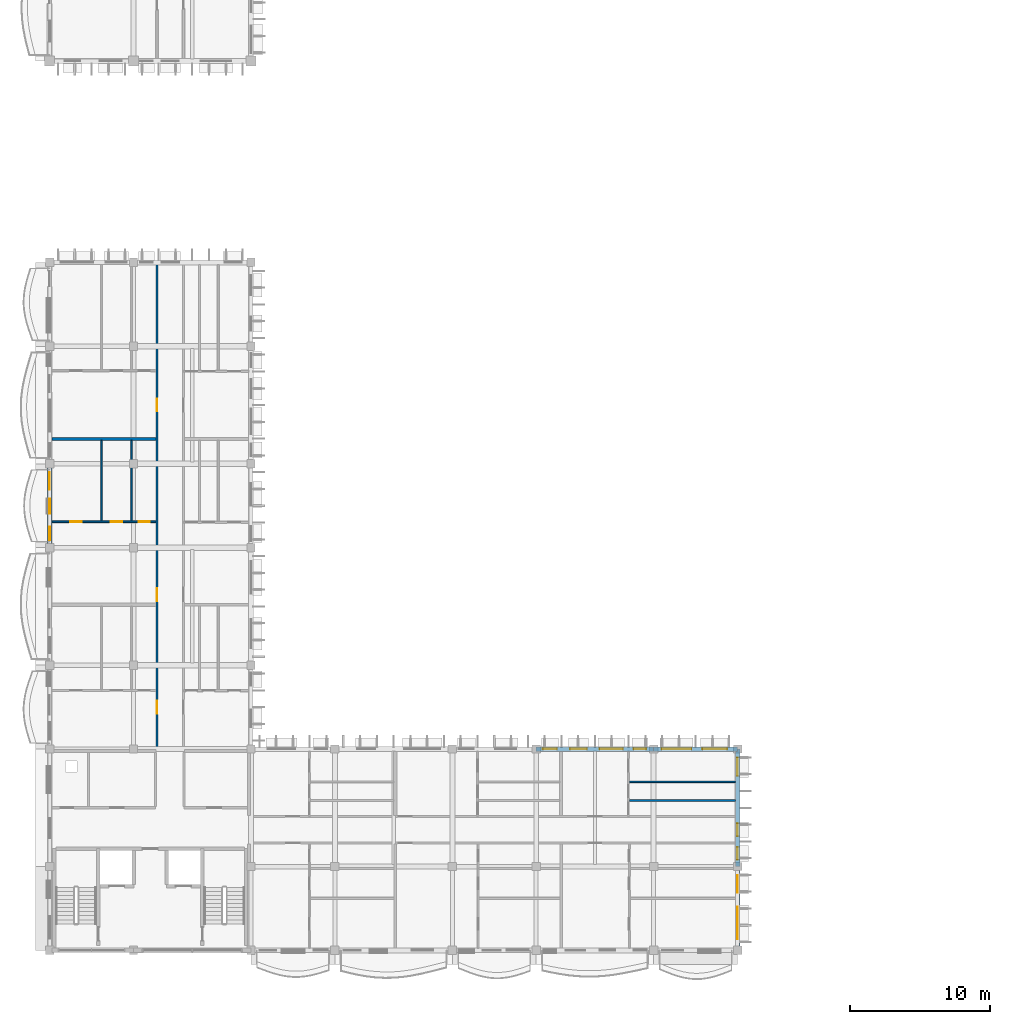
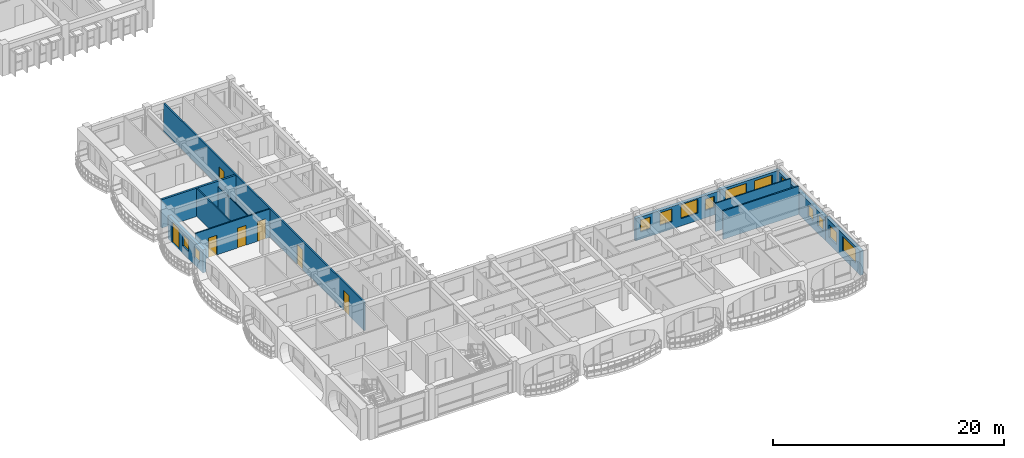
# One storey, part 18 of 70: 13 windows, 12 walls, 7 doors, 20 openings.
"""IFC4 building model written with IfcOpenShell, lengths in metres."""

from ifc_helpers import new_model, si_unit, direction, frame, frame_2d, origin, place, context, subcontext, project, spatial, rectangle, extrude, material, layer, layer_set, type_object, element, fill, save


model = new_model("IFC4")

# Units and contexts
model_context = context("Model", 3, precision=1e-05, world=origin(), true_north=direction((0.0, 1.0)))
body_context = subcontext(model_context, "Body", "Model", "MODEL_VIEW")
ifc_project = project(units=[si_unit("LENGTHUNIT", "METRE"), si_unit("AREAUNIT", "SQUARE_METRE"), si_unit("VOLUMEUNIT", "CUBIC_METRE"), si_unit("PLANEANGLEUNIT", "RADIAN"), si_unit("MASSUNIT", "GRAM", prefix="KILO"), si_unit("THERMODYNAMICTEMPERATUREUNIT", "KELVIN")], contexts=[model_context])

# Site, building, storey
site_placement = place(None, origin())
site = spatial("IfcSite", under=ifc_project, at=site_placement, CompositionType="ELEMENT")
building_placement = place(site_placement, origin())
building = spatial("IfcBuilding", under=site, at=building_placement, Name="Thalorik Housing Commons", CompositionType="ELEMENT")
storey_placement = place(building_placement, frame((0.0, 0.0, 14.699951171875)))
storey = spatial("IfcBuildingStorey", under=building, at=storey_placement, Name="L04", CompositionType="ELEMENT", Elevation=14.699951171875)

# Wall, openings, doors
ifc_material_1 = material(Name="Masonry fire-rated corridor wall", Category="masonry")
ifc_layer_1 = layer(ifc_material_1, 0.14990234375, Name="Masonry fire-rated corridor wall", Category="masonry")
ifc_layer_set_1 = layer_set([ifc_layer_1], Name="Masonry fire-rated corridor wall")
wall_type_1 = type_object("IfcWallType", Name="ARC-WAL-CORR-150", PredefinedType="PARTITIONING", material=ifc_layer_set_1)
wall_1_placement = place(storey_placement, frame((16.080078125, 22.659912109375, 0.0), z_axis=(0.0, 0.0, 1.0), x_axis=(0.0, 1.0, 0.0)))
wall_1 = element("IfcWall", 1, at=wall_1_placement, inside=storey, type_object=wall_type_1, Name="L04 Block C W Corridor Wall 1", PredefinedType="PARTITIONING", context=body_context, shape_type="SweptSolid", body=[
    extrude(rectangle(XDim=34.778076171875, YDim=0.14990234375, at=frame_2d((17.38916015625, 0.0))), origin(), (0.0, 0.0, 1.0), 3.0),
])
opening_1_placement = place(wall_1_placement, frame((2.671630859375, 0.0, 0.0)))
opening_1 = element("IfcOpeningElement", 2, at=opening_1_placement, cuts=wall_1, Name="Opening ID-1716", PredefinedType="OPENING", context=body_context, shape_type="SweptSolid", body=[
    extrude(rectangle(XDim=0.919921875, YDim=2.10009765625, at=frame_2d((0.4599609375, 1.050048828125))), frame((0.0, 0.0849609375, 0.0), z_axis=(0.0, -1.0, 0.0), x_axis=(1.0, 0.0, 0.0)), (0.0, 0.0, 1.0), 0.169921875),
])
opening_2_placement = place(wall_1_placement, frame((10.7099609375, 0.0, 0.0)))
opening_2 = element("IfcOpeningElement", 3, at=opening_2_placement, cuts=wall_1, Name="Opening ID-1717", PredefinedType="OPENING", context=body_context, shape_type="SweptSolid", body=[
    extrude(rectangle(XDim=0.919921875, YDim=2.10009765625, at=frame_2d((0.4599609375, 1.050048828125))), frame((0.0, 0.0849609375, 0.0), z_axis=(0.0, -1.0, 0.0), x_axis=(1.0, 0.0, 0.0)), (0.0, 0.0, 1.0), 0.169921875),
])
opening_3_placement = place(wall_1_placement, frame((24.280029296875, 0.0, 0.0)))
opening_3 = element("IfcOpeningElement", 4, at=opening_3_placement, cuts=wall_1, Name="Opening ID-1718", PredefinedType="OPENING", context=body_context, shape_type="SweptSolid", body=[
    extrude(rectangle(XDim=0.919921875, YDim=2.10009765625, at=frame_2d((0.4599609375, 1.050048828125))), frame((0.0, 0.0849609375, 0.0), z_axis=(0.0, -1.0, 0.0), x_axis=(1.0, 0.0, 0.0)), (0.0, 0.0, 1.0), 0.169921875),
])
ifc_material_2 = material(Name="Solid core hardwood timber", Category="wood")
door_type_1 = type_object("IfcDoorType", Name="ARC-DR-FD30-920", OperationType="NOTDEFINED", PredefinedType="DOOR", material=ifc_material_2)
door_1_placement = place(opening_1_placement, origin())
door_1 = element("IfcDoor", 5, at=door_1_placement, inside=storey, type_object=door_type_1, Name="L04 Flat CW-1A Entrance Door", OperationType="SINGLE_SWING_LEFT", OverallHeight=2.10009765625, OverallWidth=0.919921875, PredefinedType="DOOR", context=body_context, shape_type="SweptSolid", body=[
    extrude(rectangle(XDim=0.919921875, YDim=2.10009765625, at=frame_2d((0.4599609375, 1.050048828125))), frame((0.0, 0.02490234375, 0.0), z_axis=(0.0, -1.0, 0.0), x_axis=(1.0, 0.0, 0.0)), (0.0, 0.0, 1.0), 0.050048828125),
])
fill(opening_1, door_1)
door_2_placement = place(opening_2_placement, origin())
door_2 = element("IfcDoor", 6, at=door_2_placement, inside=storey, type_object=door_type_1, Name="L04 Flat CW-2A Entrance Door", OperationType="SINGLE_SWING_RIGHT", OverallHeight=2.10009765625, OverallWidth=0.919921875, PredefinedType="DOOR", context=body_context, shape_type="SweptSolid", body=[
    extrude(rectangle(XDim=0.919921875, YDim=2.10009765625, at=frame_2d((0.4599609375, 1.050048828125))), frame((0.0, 0.02490234375, 0.0), z_axis=(0.0, -1.0, 0.0), x_axis=(1.0, 0.0, 0.0)), (0.0, 0.0, 1.0), 0.050048828125),
])
fill(opening_2, door_2)
door_3_placement = place(opening_3_placement, origin())
door_3 = element("IfcDoor", 7, at=door_3_placement, inside=storey, type_object=door_type_1, Name="L04 Flat CW-3A Entrance Door", OperationType="SINGLE_SWING_LEFT", OverallHeight=2.10009765625, OverallWidth=0.919921875, PredefinedType="DOOR", context=body_context, shape_type="SweptSolid", body=[
    extrude(rectangle(XDim=0.919921875, YDim=2.10009765625, at=frame_2d((0.4599609375, 1.050048828125))), frame((0.0, 0.02490234375, 0.0), z_axis=(0.0, -1.0, 0.0), x_axis=(1.0, 0.0, 0.0)), (0.0, 0.0, 1.0), 0.050048828125),
])
fill(opening_3, door_3)

# Wall, openings, door, windows
ifc_material_3 = material(Name="White precast concrete C40/50", Category="concrete")
ifc_layer_2 = layer(ifc_material_3, 0.320068359375, Name="White precast concrete C40/50", Category="concrete")
ifc_layer_set_2 = layer_set([ifc_layer_2], Name="White precast concrete C40/50")
wall_type_2 = type_object("IfcWallType", Name="ARC-WAL-EXT-320", PredefinedType="STANDARD", material=ifc_layer_set_2)
wall_2_placement = place(storey_placement, frame((8.39990234375, 43.199951171875, 0.0), z_axis=(0.0, 0.0, 1.0), x_axis=(0.0, -1.0, 0.0)))
wall_2 = element("IfcWall", 8, at=wall_2_placement, inside=storey, type_object=wall_type_2, Name="L04 Exterior Wall WAL-EXT-L04-C-0942", PredefinedType="STANDARD", context=body_context, shape_type="SweptSolid", body=[
    extrude(rectangle(XDim=6.0, YDim=0.320068359375, at=frame_2d((3.0, 0.0))), origin(), (0.0, 0.0, 1.0), 2.445068359375),
])
opening_4_placement = place(wall_2_placement, frame((0.6201171875, 0.0, 0.0)))
opening_4 = element("IfcOpeningElement", 9, at=opening_4_placement, cuts=wall_2, Name="Opening ED-0310", PredefinedType="OPENING", context=body_context, shape_type="SweptSolid", body=[
    extrude(rectangle(XDim=1.25, YDim=2.199951171875, at=frame_2d((0.625, 1.10009765625))), frame((0.0, 0.169921875, 0.0), z_axis=(0.0, -1.0, 0.0), x_axis=(1.0, 0.0, 0.0)), (0.0, 0.0, 1.0), 0.340087890625),
])
opening_5_placement = place(wall_2_placement, frame((2.510009765625, 0.0, 0.780029296875)))
opening_5 = element("IfcOpeningElement", 10, at=opening_5_placement, cuts=wall_2, Name="Opening W-44", PredefinedType="OPENING", context=body_context, shape_type="SweptSolid", body=[
    extrude(rectangle(XDim=1.050048828125, YDim=1.199951171875, at=frame_2d((0.52490234375, 0.60009765625))), frame((0.0, 0.169921875, 0.0), z_axis=(0.0, -1.0, 0.0), x_axis=(1.0, 0.0, 0.0)), (0.0, 0.0, 1.0), 0.340087890625),
])
opening_6_placement = place(wall_2_placement, frame((4.5048828125, 0.0, 0.780029296875)))
opening_6 = element("IfcOpeningElement", 11, at=opening_6_placement, cuts=wall_2, Name="Opening W-43", PredefinedType="OPENING", context=body_context, shape_type="SweptSolid", body=[
    extrude(rectangle(XDim=0.949951171875, YDim=1.14990234375, at=frame_2d((0.47509765625, 0.574951171875))), frame((0.0, 0.169921875, 0.0), z_axis=(0.0, -1.0, 0.0), x_axis=(1.0, 0.0, 0.0)), (0.0, 0.0, 1.0), 0.340087890625),
])
ifc_material_4 = material(Name="Anodised aluminium and laminated safety glass", Category="aluminium")
door_type_2 = type_object("IfcDoorType", Name="ARC-DR-BAL-1250", OperationType="NOTDEFINED", PredefinedType="DOOR", material=ifc_material_4)
door_4_placement = place(opening_4_placement, frame((1.25, 0.0, 0.0), z_axis=(0.0, 0.0, 1.0), x_axis=(-1.0, 0.0, 0.0)))
door_4 = element("IfcDoor", 12, at=door_4_placement, inside=storey, type_object=door_type_2, Name="L04 Block C Balcony Glazed Door", OperationType="SINGLE_SWING_LEFT", OverallHeight=2.199951171875, OverallWidth=1.25, PredefinedType="DOOR", context=body_context, shape_type="SweptSolid", body=[
    extrude(rectangle(XDim=1.25, YDim=2.199951171875, at=frame_2d((0.625, 1.10009765625))), frame((0.0, 0.02490234375, 0.0), z_axis=(0.0, -1.0, 0.0), x_axis=(1.0, 0.0, 0.0)), (0.0, 0.0, 1.0), 0.050048828125),
])
fill(opening_4, door_4)
ifc_material_5 = material(Name="Anodised aluminium and solar-control low-E glass", Category="aluminium")
window_type_1 = type_object("IfcWindowType", Name="ARC-WIN-43", PartitioningType="SINGLE_PANEL", PredefinedType="WINDOW", material=ifc_material_5)
window_1_placement = place(opening_6_placement, origin())
window_1 = element("IfcWindow", 13, at=window_1_placement, inside=storey, type_object=window_type_1, Name="L04 Facade Window 1742", OverallHeight=1.14990234375, OverallWidth=0.949951171875, PartitioningType="SINGLE_PANEL", PredefinedType="WINDOW", context=body_context, shape_type="SweptSolid", body=[
    extrude(rectangle(XDim=0.949951171875, YDim=1.14990234375, at=frame_2d((0.47509765625, 0.574951171875))), frame((0.0, 0.030029296875, 0.0), z_axis=(0.0, -1.0, 0.0), x_axis=(1.0, 0.0, 0.0)), (0.0, 0.0, 1.0), 0.06005859375),
])
fill(opening_6, window_1)
window_type_2 = type_object("IfcWindowType", Name="ARC-WIN-44", PartitioningType="SINGLE_PANEL", PredefinedType="WINDOW", material=ifc_material_5)
window_2_placement = place(opening_5_placement, origin())
window_2 = element("IfcWindow", 14, at=window_2_placement, inside=storey, type_object=window_type_2, Name="L04 Facade Window 1741", OverallHeight=1.199951171875, OverallWidth=1.050048828125, PartitioningType="SINGLE_PANEL", PredefinedType="WINDOW", context=body_context, shape_type="SweptSolid", body=[
    extrude(rectangle(XDim=1.050048828125, YDim=1.199951171875, at=frame_2d((0.52490234375, 0.60009765625))), frame((0.0, 0.030029296875, 0.0), z_axis=(0.0, -1.0, 0.0), x_axis=(1.0, 0.0, 0.0)), (0.0, 0.0, 1.0), 0.06005859375),
])
fill(opening_5, window_2)

# Wall, openings, windows
wall_3_placement = place(storey_placement, frame((57.60009765625, 8.39990234375, 0.0), z_axis=(0.0, 0.0, 1.0), x_axis=(0.0, 1.0, 0.0)))
wall_3 = element("IfcWall", 15, at=wall_3_placement, inside=storey, type_object=wall_type_2, Name="L04 Exterior Wall WAL-EXT-L04-C-0954", PredefinedType="STANDARD", context=body_context, shape_type="SweptSolid", body=[
    extrude(rectangle(XDim=6.0, YDim=0.320068359375, at=frame_2d((3.0, 0.0))), origin(), (0.0, 0.0, 1.0), 2.574951171875),
])
opening_7_placement = place(wall_3_placement, frame((0.793701171875, 0.0, 0.780029296875)))
opening_7 = element("IfcOpeningElement", 16, at=opening_7_placement, cuts=wall_3, Name="Opening W-68", PredefinedType="OPENING", context=body_context, shape_type="SweptSolid", body=[
    extrude(rectangle(XDim=2.320068359375, YDim=1.5, at=frame_2d((1.16015625, 0.75))), frame((0.0, 0.169921875, 0.0), z_axis=(0.0, -1.0, 0.0), x_axis=(1.0, 0.0, 0.0)), (0.0, 0.0, 1.0), 0.340087890625),
])
opening_8_placement = place(wall_3_placement, frame((4.138916015625, 0.0, 0.780029296875)))
opening_8 = element("IfcOpeningElement", 17, at=opening_8_placement, cuts=wall_3, Name="Opening W-46", PredefinedType="OPENING", context=body_context, shape_type="SweptSolid", body=[
    extrude(rectangle(XDim=1.25, YDim=1.300048828125, at=frame_2d((0.625, 0.64990234375))), frame((0.0, 0.169921875, 0.0), z_axis=(0.0, -1.0, 0.0), x_axis=(1.0, 0.0, 0.0)), (0.0, 0.0, 1.0), 0.340087890625),
])
window_type_3 = type_object("IfcWindowType", Name="ARC-WIN-46", PartitioningType="SINGLE_PANEL", PredefinedType="WINDOW", material=ifc_material_5)
window_3_placement = place(opening_8_placement, origin())
window_3 = element("IfcWindow", 18, at=window_3_placement, inside=storey, type_object=window_type_3, Name="L04 Facade Window 1762", OverallHeight=1.300048828125, OverallWidth=1.25, PartitioningType="SINGLE_PANEL", PredefinedType="WINDOW", context=body_context, shape_type="SweptSolid", body=[
    extrude(rectangle(XDim=1.25, YDim=1.300048828125, at=frame_2d((0.625, 0.64990234375))), frame((0.0, 0.030029296875, 0.0), z_axis=(0.0, -1.0, 0.0), x_axis=(1.0, 0.0, 0.0)), (0.0, 0.0, 1.0), 0.06005859375),
])
fill(opening_8, window_3)
window_type_4 = type_object("IfcWindowType", Name="ARC-WIN-68", PartitioningType="DOUBLE_PANEL_VERTICAL", PredefinedType="WINDOW", material=ifc_material_5)
window_4_placement = place(opening_7_placement, origin())
window_4 = element("IfcWindow", 19, at=window_4_placement, inside=storey, type_object=window_type_4, Name="L04 Facade Window 1761", OverallHeight=1.5, OverallWidth=2.320068359375, PartitioningType="DOUBLE_PANEL_VERTICAL", PredefinedType="WINDOW", context=body_context, shape_type="SweptSolid", body=[
    extrude(rectangle(XDim=2.320068359375, YDim=1.5, at=frame_2d((1.16015625, 0.75))), frame((0.0, 0.030029296875, 0.0), z_axis=(0.0, -1.0, 0.0), x_axis=(1.0, 0.0, 0.0)), (0.0, 0.0, 1.0), 0.06005859375),
])
fill(opening_7, window_4)

wall_4_placement = place(storey_placement, frame((57.60009765625, 14.39990234375, 0.0), z_axis=(0.0, 0.0, 1.0), x_axis=(0.0, 1.0, 0.0)))
wall_4 = element("IfcWall", 20, at=wall_4_placement, inside=storey, type_object=wall_type_2, Name="L04 Exterior Wall WAL-EXT-L04-C-0955", PredefinedType="STANDARD", context=body_context, shape_type="SweptSolid", body=[
    extrude(rectangle(XDim=8.400146484375, YDim=0.320068359375, at=frame_2d((4.2001953125, 0.0))), origin(), (0.0, 0.0, 1.0), 2.425048828125),
])
opening_9_placement = place(wall_4_placement, frame((0.485107421875, 0.0, 0.780029296875)))
opening_9 = element("IfcOpeningElement", 21, at=opening_9_placement, cuts=wall_4, Name="Opening W-01", PredefinedType="OPENING", context=body_context, shape_type="SweptSolid", body=[
    extrude(rectangle(XDim=0.89990234375, YDim=1.199951171875, at=frame_2d((0.449951171875, 0.60009765625))), frame((0.0, 0.169921875, 0.0), z_axis=(0.0, -1.0, 0.0), x_axis=(1.0, 0.0, 0.0)), (0.0, 0.0, 1.0), 0.340087890625),
])
opening_10_placement = place(wall_4_placement, frame((2.179931640625, 0.0, 0.780029296875)))
opening_10 = element("IfcOpeningElement", 22, at=opening_10_placement, cuts=wall_4, Name="Opening W-01", PredefinedType="OPENING", context=body_context, shape_type="SweptSolid", body=[
    extrude(rectangle(XDim=0.89990234375, YDim=1.199951171875, at=frame_2d((0.449951171875, 0.60009765625))), frame((0.0, 0.169921875, 0.0), z_axis=(0.0, -1.0, 0.0), x_axis=(1.0, 0.0, 0.0)), (0.0, 0.0, 1.0), 0.340087890625),
])
opening_11_placement = place(wall_4_placement, frame((6.482666015625, 0.0, 0.780029296875)))
opening_11 = element("IfcOpeningElement", 23, at=opening_11_placement, cuts=wall_4, Name="Opening W-06", PredefinedType="OPENING", context=body_context, shape_type="SweptSolid", body=[
    extrude(rectangle(XDim=1.300048828125, YDim=1.39990234375, at=frame_2d((0.64990234375, 0.699951171875))), frame((0.0, 0.169921875, 0.0), z_axis=(0.0, -1.0, 0.0), x_axis=(1.0, 0.0, 0.0)), (0.0, 0.0, 1.0), 0.340087890625),
])
window_type_5 = type_object("IfcWindowType", Name="ARC-WIN-01", PartitioningType="SINGLE_PANEL", PredefinedType="WINDOW", material=ifc_material_5)
window_5_placement = place(opening_9_placement, origin())
window_5 = element("IfcWindow", 24, at=window_5_placement, inside=storey, type_object=window_type_5, Name="L04 Facade Window 1763", OverallHeight=1.199951171875, OverallWidth=0.89990234375, PartitioningType="SINGLE_PANEL", PredefinedType="WINDOW", context=body_context, shape_type="SweptSolid", body=[
    extrude(rectangle(XDim=0.89990234375, YDim=1.199951171875, at=frame_2d((0.449951171875, 0.60009765625))), frame((0.0, 0.030029296875, 0.0), z_axis=(0.0, -1.0, 0.0), x_axis=(1.0, 0.0, 0.0)), (0.0, 0.0, 1.0), 0.06005859375),
])
fill(opening_9, window_5)
window_6_placement = place(opening_10_placement, origin())
window_6 = element("IfcWindow", 25, at=window_6_placement, inside=storey, type_object=window_type_5, Name="L04 Facade Window 1764", OverallHeight=1.199951171875, OverallWidth=0.89990234375, PartitioningType="SINGLE_PANEL", PredefinedType="WINDOW", context=body_context, shape_type="SweptSolid", body=[
    extrude(rectangle(XDim=0.89990234375, YDim=1.199951171875, at=frame_2d((0.449951171875, 0.60009765625))), frame((0.0, 0.030029296875, 0.0), z_axis=(0.0, -1.0, 0.0), x_axis=(1.0, 0.0, 0.0)), (0.0, 0.0, 1.0), 0.06005859375),
])
fill(opening_10, window_6)
window_type_6 = type_object("IfcWindowType", Name="ARC-WIN-06", PartitioningType="SINGLE_PANEL", PredefinedType="WINDOW", material=ifc_material_5)
window_7_placement = place(opening_11_placement, origin())
window_7 = element("IfcWindow", 26, at=window_7_placement, inside=storey, type_object=window_type_6, Name="L04 Facade Window 1765", OverallHeight=1.39990234375, OverallWidth=1.300048828125, PartitioningType="SINGLE_PANEL", PredefinedType="WINDOW", context=body_context, shape_type="SweptSolid", body=[
    extrude(rectangle(XDim=1.300048828125, YDim=1.39990234375, at=frame_2d((0.64990234375, 0.699951171875))), frame((0.0, 0.030029296875, 0.0), z_axis=(0.0, -1.0, 0.0), x_axis=(1.0, 0.0, 0.0)), (0.0, 0.0, 1.0), 0.06005859375),
])
fill(opening_11, window_7)

wall_5_placement = place(storey_placement, frame((57.60009765625, 22.800048828125, 0.0), z_axis=(0.0, 0.0, 1.0), x_axis=(-1.0, 0.0, 0.0)))
wall_5 = element("IfcWall", 27, at=wall_5_placement, inside=storey, type_object=wall_type_2, Name="L04 Exterior Wall WAL-EXT-L04-C-0956", PredefinedType="STANDARD", context=body_context, shape_type="SweptSolid", body=[
    extrude(rectangle(XDim=6.0, YDim=0.320068359375, at=frame_2d((3.0, 0.0))), origin(), (0.0, 0.0, 1.0), 2.47509765625),
])
opening_12_placement = place(wall_5_placement, frame((0.739990234375, 0.0, 0.780029296875)))
opening_12 = element("IfcOpeningElement", 28, at=opening_12_placement, cuts=wall_5, Name="Opening W-57", PredefinedType="OPENING", context=body_context, shape_type="SweptSolid", body=[
    extrude(rectangle(XDim=1.780029296875, YDim=1.419921875, at=frame_2d((0.89013671875, 0.7099609375))), frame((0.0, 0.169921875, 0.0), z_axis=(0.0, -1.0, 0.0), x_axis=(1.0, 0.0, 0.0)), (0.0, 0.0, 1.0), 0.340087890625),
])
opening_13_placement = place(wall_5_placement, frame((3.31005859375, 0.0, 0.780029296875)))
opening_13 = element("IfcOpeningElement", 29, at=opening_13_placement, cuts=wall_5, Name="Opening W-64", PredefinedType="OPENING", context=body_context, shape_type="SweptSolid", body=[
    extrude(rectangle(XDim=2.1201171875, YDim=1.43994140625, at=frame_2d((1.06005859375, 0.719970703125))), frame((0.0, 0.169921875, 0.0), z_axis=(0.0, -1.0, 0.0), x_axis=(1.0, 0.0, 0.0)), (0.0, 0.0, 1.0), 0.340087890625),
])
window_type_7 = type_object("IfcWindowType", Name="ARC-WIN-57", PartitioningType="DOUBLE_PANEL_VERTICAL", PredefinedType="WINDOW", material=ifc_material_5)
window_8_placement = place(opening_12_placement, origin())
window_8 = element("IfcWindow", 30, at=window_8_placement, inside=storey, type_object=window_type_7, Name="L04 Facade Window 1766", OverallHeight=1.419921875, OverallWidth=1.780029296875, PartitioningType="DOUBLE_PANEL_VERTICAL", PredefinedType="WINDOW", context=body_context, shape_type="SweptSolid", body=[
    extrude(rectangle(XDim=1.780029296875, YDim=1.419921875, at=frame_2d((0.89013671875, 0.7099609375))), frame((0.0, 0.030029296875, 0.0), z_axis=(0.0, -1.0, 0.0), x_axis=(1.0, 0.0, 0.0)), (0.0, 0.0, 1.0), 0.06005859375),
])
fill(opening_12, window_8)
window_type_8 = type_object("IfcWindowType", Name="ARC-WIN-64", PartitioningType="DOUBLE_PANEL_VERTICAL", PredefinedType="WINDOW", material=ifc_material_5)
window_9_placement = place(opening_13_placement, origin())
window_9 = element("IfcWindow", 31, at=window_9_placement, inside=storey, type_object=window_type_8, Name="L04 Facade Window 1767", OverallHeight=1.43994140625, OverallWidth=2.1201171875, PartitioningType="DOUBLE_PANEL_VERTICAL", PredefinedType="WINDOW", context=body_context, shape_type="SweptSolid", body=[
    extrude(rectangle(XDim=2.1201171875, YDim=1.43994140625, at=frame_2d((1.06005859375, 0.719970703125))), frame((0.0, 0.030029296875, 0.0), z_axis=(0.0, -1.0, 0.0), x_axis=(1.0, 0.0, 0.0)), (0.0, 0.0, 1.0), 0.06005859375),
])
fill(opening_13, window_9)

wall_6_placement = place(storey_placement, frame((51.60009765625, 22.800048828125, 0.0), z_axis=(0.0, 0.0, 1.0), x_axis=(-1.0, 0.0, 0.0)))
wall_6 = element("IfcWall", 32, at=wall_6_placement, inside=storey, type_object=wall_type_2, Name="L04 Exterior Wall WAL-EXT-L04-C-0957", PredefinedType="STANDARD", context=body_context, shape_type="SweptSolid", body=[
    extrude(rectangle(XDim=8.400146484375, YDim=0.320068359375, at=frame_2d((4.2001953125, 0.0))), origin(), (0.0, 0.0, 1.0), 2.375),
])
opening_14_placement = place(wall_6_placement, frame((0.54052734375, 0.0, 0.780029296875)))
opening_14 = element("IfcOpeningElement", 33, at=opening_14_placement, cuts=wall_6, Name="Opening W-01", PredefinedType="OPENING", context=body_context, shape_type="SweptSolid", body=[
    extrude(rectangle(XDim=0.89990234375, YDim=1.199951171875, at=frame_2d((0.449951171875, 0.60009765625))), frame((0.0, 0.169921875, 0.0), z_axis=(0.0, -1.0, 0.0), x_axis=(1.0, 0.0, 0.0)), (0.0, 0.0, 1.0), 0.340087890625),
])
opening_15_placement = place(wall_6_placement, frame((2.193359375, 0.0, 0.780029296875)))
opening_15 = element("IfcOpeningElement", 34, at=opening_15_placement, cuts=wall_6, Name="Opening W-55", PredefinedType="OPENING", context=body_context, shape_type="SweptSolid", body=[
    extrude(rectangle(XDim=1.679931640625, YDim=1.4599609375, at=frame_2d((0.83984375, 0.72998046875))), frame((0.0, 0.169921875, 0.0), z_axis=(0.0, -1.0, 0.0), x_axis=(1.0, 0.0, 0.0)), (0.0, 0.0, 1.0), 0.340087890625),
])
opening_16_placement = place(wall_6_placement, frame((4.77783203125, 0.0, 0.780029296875)))
opening_16 = element("IfcOpeningElement", 35, at=opening_16_placement, cuts=wall_6, Name="Opening W-04", PredefinedType="OPENING", context=body_context, shape_type="SweptSolid", body=[
    extrude(rectangle(XDim=1.199951171875, YDim=1.35009765625, at=frame_2d((0.60009765625, 0.675048828125))), frame((0.0, 0.169921875, 0.0), z_axis=(0.0, -1.0, 0.0), x_axis=(1.0, 0.0, 0.0)), (0.0, 0.0, 1.0), 0.340087890625),
])
opening_17_placement = place(wall_6_placement, frame((6.9150390625, 0.0, 0.780029296875)))
opening_17 = element("IfcOpeningElement", 36, at=opening_17_placement, cuts=wall_6, Name="Opening W-02", PredefinedType="OPENING", context=body_context, shape_type="SweptSolid", body=[
    extrude(rectangle(XDim=1.0, YDim=1.25, at=frame_2d((0.5, 0.625))), frame((0.0, 0.169921875, 0.0), z_axis=(0.0, -1.0, 0.0), x_axis=(1.0, 0.0, 0.0)), (0.0, 0.0, 1.0), 0.340087890625),
])
window_10_placement = place(opening_14_placement, origin())
window_10 = element("IfcWindow", 37, at=window_10_placement, inside=storey, type_object=window_type_5, Name="L04 Facade Window 1768", OverallHeight=1.199951171875, OverallWidth=0.89990234375, PartitioningType="SINGLE_PANEL", PredefinedType="WINDOW", context=body_context, shape_type="SweptSolid", body=[
    extrude(rectangle(XDim=0.89990234375, YDim=1.199951171875, at=frame_2d((0.449951171875, 0.60009765625))), frame((0.0, 0.030029296875, 0.0), z_axis=(0.0, -1.0, 0.0), x_axis=(1.0, 0.0, 0.0)), (0.0, 0.0, 1.0), 0.06005859375),
])
fill(opening_14, window_10)
window_type_9 = type_object("IfcWindowType", Name="ARC-WIN-02", PartitioningType="SINGLE_PANEL", PredefinedType="WINDOW", material=ifc_material_5)
window_11_placement = place(opening_17_placement, origin())
window_11 = element("IfcWindow", 38, at=window_11_placement, inside=storey, type_object=window_type_9, Name="L04 Facade Window 1771", OverallHeight=1.25, OverallWidth=1.0, PartitioningType="SINGLE_PANEL", PredefinedType="WINDOW", context=body_context, shape_type="SweptSolid", body=[
    extrude(rectangle(XDim=1.0, YDim=1.25, at=frame_2d((0.5, 0.625))), frame((0.0, 0.030029296875, 0.0), z_axis=(0.0, -1.0, 0.0), x_axis=(1.0, 0.0, 0.0)), (0.0, 0.0, 1.0), 0.06005859375),
])
fill(opening_17, window_11)
window_type_10 = type_object("IfcWindowType", Name="ARC-WIN-04", PartitioningType="SINGLE_PANEL", PredefinedType="WINDOW", material=ifc_material_5)
window_12_placement = place(opening_16_placement, origin())
window_12 = element("IfcWindow", 39, at=window_12_placement, inside=storey, type_object=window_type_10, Name="L04 Facade Window 1770", OverallHeight=1.35009765625, OverallWidth=1.199951171875, PartitioningType="SINGLE_PANEL", PredefinedType="WINDOW", context=body_context, shape_type="SweptSolid", body=[
    extrude(rectangle(XDim=1.199951171875, YDim=1.35009765625, at=frame_2d((0.60009765625, 0.675048828125))), frame((0.0, 0.030029296875, 0.0), z_axis=(0.0, -1.0, 0.0), x_axis=(1.0, 0.0, 0.0)), (0.0, 0.0, 1.0), 0.06005859375),
])
fill(opening_16, window_12)
window_type_11 = type_object("IfcWindowType", Name="ARC-WIN-55", PartitioningType="DOUBLE_PANEL_VERTICAL", PredefinedType="WINDOW", material=ifc_material_5)
window_13_placement = place(opening_15_placement, origin())
window_13 = element("IfcWindow", 40, at=window_13_placement, inside=storey, type_object=window_type_11, Name="L04 Facade Window 1769", OverallHeight=1.4599609375, OverallWidth=1.679931640625, PartitioningType="DOUBLE_PANEL_VERTICAL", PredefinedType="WINDOW", context=body_context, shape_type="SweptSolid", body=[
    extrude(rectangle(XDim=1.679931640625, YDim=1.4599609375, at=frame_2d((0.83984375, 0.72998046875))), frame((0.0, 0.030029296875, 0.0), z_axis=(0.0, -1.0, 0.0), x_axis=(1.0, 0.0, 0.0)), (0.0, 0.0, 1.0), 0.06005859375),
])
fill(opening_15, window_13)

# Walls
ifc_material_6 = material(Name="Gypsum light stud partition", Category="masonry")
ifc_layer_3 = layer(ifc_material_6, 0.10009765625, Name="Gypsum light stud partition", Category="masonry")
ifc_layer_set_3 = layer_set([ifc_layer_3], Name="Gypsum light stud partition")
wall_type_3 = type_object("IfcWallType", Name="ARC-WAL-PART-100", PredefinedType="PARTITIONING", material=ifc_layer_set_3)
wall_7_placement = place(storey_placement, frame((14.251220703125, 39.114501953125, 0.0), z_axis=(0.0, 0.0, 1.0), x_axis=(0.0, 1.0, 0.0)))
element("IfcWall", 41, at=wall_7_placement, inside=storey, type_object=wall_type_3, Name="L04 Unit 2 Wet Wall", PredefinedType="PARTITIONING", context=body_context, shape_type="SweptSolid", body=[
    extrude(rectangle(XDim=5.763427734375, YDim=0.10009765625, at=frame_2d((2.8818359375, 0.0))), origin(), (0.0, 0.0, 1.0), 2.425048828125),
])
wall_8_placement = place(storey_placement, frame((49.868408203125, 20.455078125, 0.0), z_axis=(0.0, 0.0, 1.0), x_axis=(1.0, 0.0, 0.0)))
element("IfcWall", 42, at=wall_8_placement, inside=storey, type_object=wall_type_3, Name="L04 Unit 3B Bedroom Partition", PredefinedType="PARTITIONING", context=body_context, shape_type="SweptSolid", body=[
    extrude(rectangle(XDim=7.569580078125, YDim=0.10009765625, at=frame_2d((3.78466796875, 0.0))), origin(), (0.0, 0.0, 1.0), 3.0),
])
ifc_material_7 = material(Name="Gypsum moisture-resistant partition", Category="masonry")
ifc_layer_4 = layer(ifc_material_7, 0.114990234375, Name="Gypsum moisture-resistant partition", Category="masonry")
ifc_layer_set_4 = layer_set([ifc_layer_4], Name="Gypsum moisture-resistant partition")
wall_type_4 = type_object("IfcWallType", Name="ARC-WAL-PART-115", PredefinedType="PARTITIONING", material=ifc_layer_set_4)
wall_9_placement = place(storey_placement, frame((12.11767578125, 39.114501953125, 0.0), z_axis=(0.0, 0.0, 1.0), x_axis=(0.0, 1.0, 0.0)))
element("IfcWall", 43, at=wall_9_placement, inside=storey, type_object=wall_type_4, Name="L04 Unit 2 Bedroom Partition", PredefinedType="PARTITIONING", context=body_context, shape_type="SweptSolid", body=[
    extrude(rectangle(XDim=5.763427734375, YDim=0.114990234375, at=frame_2d((2.8818359375, 0.0))), origin(), (0.0, 0.0, 1.0), 3.0),
])

# Wall, openings, doors
ifc_material_8 = material(Name="Gypsum acoustic stud partition", Category="masonry")
ifc_layer_5 = layer(ifc_material_8, 0.125, Name="Gypsum acoustic stud partition", Category="masonry")
ifc_layer_set_5 = layer_set([ifc_layer_5], Name="Gypsum acoustic stud partition")
wall_type_5 = type_object("IfcWallType", Name="ARC-WAL-PART-125", PredefinedType="PARTITIONING", material=ifc_layer_set_5)
wall_10_placement = place(storey_placement, frame((8.56201171875, 39.050048828125, 0.0), z_axis=(0.0, 0.0, 1.0), x_axis=(1.0, 0.0, 0.0)))
wall_10 = element("IfcWall", 44, at=wall_10_placement, inside=storey, type_object=wall_type_5, Name="L04 Unit 2 Spine Partition", PredefinedType="PARTITIONING", context=body_context, shape_type="SweptSolid", body=[
    extrude(rectangle(XDim=7.44091796875, YDim=0.125, at=frame_2d((3.720458984375, 0.0))), origin(), (0.0, 0.0, 1.0), 3.0),
])
opening_18_placement = place(wall_10_placement, frame((1.3017578125, 0.0, 0.0)))
opening_18 = element("IfcOpeningElement", 45, at=opening_18_placement, cuts=wall_10, Name="Opening ID-1704", PredefinedType="OPENING", context=body_context, shape_type="SweptSolid", body=[
    extrude(rectangle(XDim=0.820068359375, YDim=2.080078125, at=frame_2d((0.41015625, 1.0400390625))), frame((0.0, 0.072509765625, 0.0), z_axis=(0.0, -1.0, 0.0), x_axis=(1.0, 0.0, 0.0)), (0.0, 0.0, 1.0), 0.14501953125),
])
opening_19_placement = place(wall_10_placement, frame((4.197509765625, 0.0, 0.0)))
opening_19 = element("IfcOpeningElement", 46, at=opening_19_placement, cuts=wall_10, Name="Opening ID-1705", PredefinedType="OPENING", context=body_context, shape_type="SweptSolid", body=[
    extrude(rectangle(XDim=0.85009765625, YDim=2.10009765625, at=frame_2d((0.425048828125, 1.050048828125))), frame((0.0, 0.072509765625, 0.0), z_axis=(0.0, -1.0, 0.0), x_axis=(1.0, 0.0, 0.0)), (0.0, 0.0, 1.0), 0.14501953125),
])
opening_20_placement = place(wall_10_placement, frame((6.20361328125, 0.0, 0.0)))
opening_20 = element("IfcOpeningElement", 47, at=opening_20_placement, cuts=wall_10, Name="Opening ID-1706", PredefinedType="OPENING", context=body_context, shape_type="SweptSolid", body=[
    extrude(rectangle(XDim=0.800048828125, YDim=2.10009765625, at=frame_2d((0.39990234375, 1.050048828125))), frame((0.0, 0.072509765625, 0.0), z_axis=(0.0, -1.0, 0.0), x_axis=(1.0, 0.0, 0.0)), (0.0, 0.0, 1.0), 0.14501953125),
])
ifc_material_9 = material(Name="Moisture-resistant timber", Category="wood")
door_type_3 = type_object("IfcDoorType", Name="ARC-DR-INT-800", OperationType="NOTDEFINED", PredefinedType="DOOR", material=ifc_material_9)
door_5_placement = place(opening_20_placement, origin())
door_5 = element("IfcDoor", 48, at=door_5_placement, inside=storey, type_object=door_type_3, Name="L04 Flat Bathroom Door", OperationType="SINGLE_SWING_LEFT", OverallHeight=2.10009765625, OverallWidth=0.800048828125, PredefinedType="DOOR", context=body_context, shape_type="SweptSolid", body=[
    extrude(rectangle(XDim=0.800048828125, YDim=2.10009765625, at=frame_2d((0.39990234375, 1.050048828125))), frame((0.0, 0.02490234375, 0.0), z_axis=(0.0, -1.0, 0.0), x_axis=(1.0, 0.0, 0.0)), (0.0, 0.0, 1.0), 0.050048828125),
])
fill(opening_20, door_5)
ifc_material_10 = material(Name="Engineered oak timber", Category="wood")
door_type_4 = type_object("IfcDoorType", Name="ARC-DR-INT-820", OperationType="NOTDEFINED", PredefinedType="DOOR", material=ifc_material_10)
door_6_placement = place(opening_18_placement, origin())
door_6 = element("IfcDoor", 49, at=door_6_placement, inside=storey, type_object=door_type_4, Name="L04 Master Bedroom Door", OperationType="SINGLE_SWING_LEFT", OverallHeight=2.080078125, OverallWidth=0.820068359375, PredefinedType="DOOR", context=body_context, shape_type="SweptSolid", body=[
    extrude(rectangle(XDim=0.820068359375, YDim=2.080078125, at=frame_2d((0.41015625, 1.0400390625))), frame((0.0, 0.02490234375, 0.0), z_axis=(0.0, -1.0, 0.0), x_axis=(1.0, 0.0, 0.0)), (0.0, 0.0, 1.0), 0.050048828125),
])
fill(opening_18, door_6)
door_type_5 = type_object("IfcDoorType", Name="ARC-DR-INT-850", OperationType="NOTDEFINED", PredefinedType="DOOR", material=ifc_material_10)
door_7_placement = place(opening_19_placement, origin())
door_7 = element("IfcDoor", 50, at=door_7_placement, inside=storey, type_object=door_type_5, Name="L04 Galley Kitchen Door", OperationType="SINGLE_SWING_RIGHT", OverallHeight=2.10009765625, OverallWidth=0.85009765625, PredefinedType="DOOR", context=body_context, shape_type="SweptSolid", body=[
    extrude(rectangle(XDim=0.85009765625, YDim=2.10009765625, at=frame_2d((0.425048828125, 1.050048828125))), frame((0.0, 0.02490234375, 0.0), z_axis=(0.0, -1.0, 0.0), x_axis=(1.0, 0.0, 0.0)), (0.0, 0.0, 1.0), 0.050048828125),
])
fill(opening_19, door_7)

# Walls
ifc_material_11 = material(Name="Ceramic masonry partition wall", Category="masonry")
ifc_layer_6 = layer(ifc_material_11, 0.139892578125, Name="Ceramic masonry partition wall", Category="masonry")
ifc_layer_set_6 = layer_set([ifc_layer_6], Name="Ceramic masonry partition wall")
wall_type_6 = type_object("IfcWallType", Name="ARC-WAL-PART-140", PredefinedType="PARTITIONING", material=ifc_layer_set_6)
wall_11_placement = place(storey_placement, frame((49.868408203125, 19.122314453125, 0.0), z_axis=(0.0, 0.0, 1.0), x_axis=(1.0, 0.0, 0.0)))
element("IfcWall", 51, at=wall_11_placement, inside=storey, type_object=wall_type_6, Name="L04 Unit 3B Wet Wall", PredefinedType="PARTITIONING", context=body_context, shape_type="SweptSolid", body=[
    extrude(rectangle(XDim=7.569580078125, YDim=0.139892578125, at=frame_2d((3.78466796875, 0.0))), origin(), (0.0, 0.0, 1.0), 3.0),
])
ifc_material_12 = material(Name="Precast concrete C40/50 acoustic wall", Category="concrete")
ifc_layer_7 = layer(ifc_material_12, 0.199951171875, Name="Precast concrete C40/50 acoustic wall", Category="concrete")
ifc_layer_set_7 = layer_set([ifc_layer_7], Name="Precast concrete C40/50 acoustic wall")
wall_type_7 = type_object("IfcWallType", Name="ARC-WAL-PARTY-200", PredefinedType="PARTITIONING", material=ifc_layer_set_7)
wall_12_placement = place(storey_placement, frame((8.56201171875, 44.97998046875, 0.0), z_axis=(0.0, 0.0, 1.0), x_axis=(1.0, 0.0, 0.0)))
element("IfcWall", 52, at=wall_12_placement, inside=storey, type_object=wall_type_7, Name="L04 Inter-Tenancy Wall 2A", PredefinedType="PARTITIONING", context=body_context, shape_type="SweptSolid", body=[
    extrude(rectangle(XDim=7.44091796875, YDim=0.199951171875, at=frame_2d((3.720458984375, 0.0))), origin(), (0.0, 0.0, 1.0), 3.0),
])

save(model, "model.ifc")
